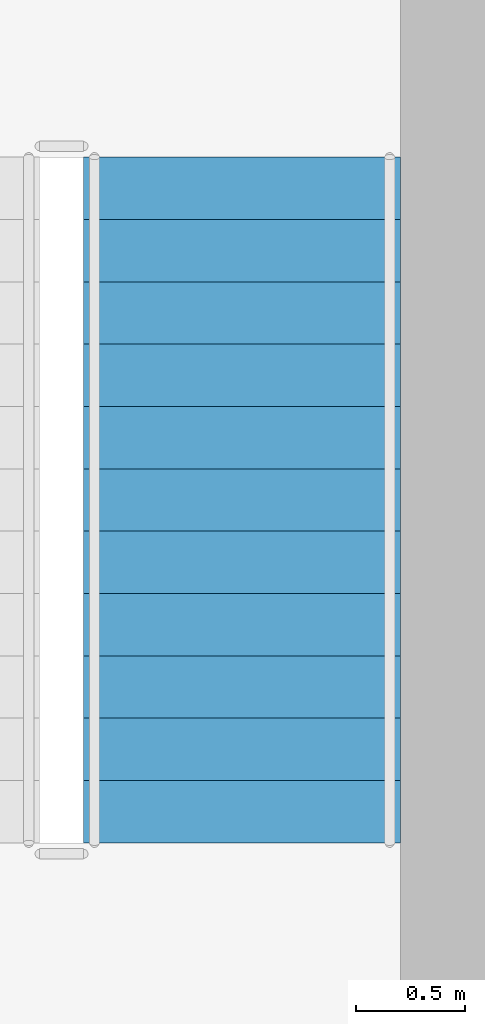
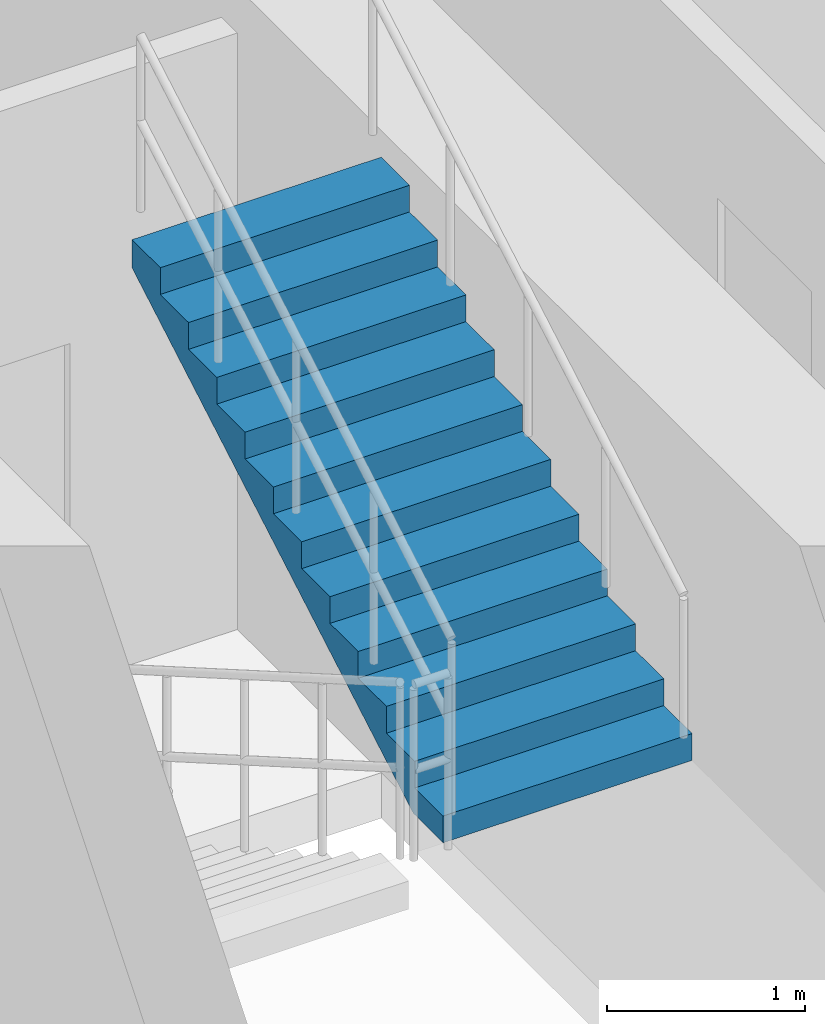
# One storey, part 27 of 31: 1 stair flight, 1 element without a shape of its own.
"""IFC4 building model written with IfcOpenShell, lengths in metres."""

from ifc_helpers import new_model, si_unit, direction, frame, origin, place, context, subcontext, project, spatial, polyline, outline, extrude, material, type_object, element, aggregate, save


model = new_model("IFC4")

# Units and contexts
model_context = context("Model", 3, precision=1e-05, world=origin(), true_north=direction((0.0, 1.0)))
body_context = subcontext(model_context, "Body", "Model", "MODEL_VIEW")
ifc_project = project(units=[si_unit("LENGTHUNIT", "METRE"), si_unit("AREAUNIT", "SQUARE_METRE"), si_unit("VOLUMEUNIT", "CUBIC_METRE"), si_unit("PLANEANGLEUNIT", "RADIAN"), si_unit("MASSUNIT", "GRAM", prefix="KILO")], contexts=[model_context])

# Site, building, storey
site_placement = place(None, origin())
site = spatial("IfcSite", under=ifc_project, at=site_placement, CompositionType="ELEMENT")
building_placement = place(site_placement, origin())
building = spatial("IfcBuilding", under=site, at=building_placement, Name="Krantzveldt Concourse Tower", CompositionType="ELEMENT")
storey_placement = place(building_placement, frame((0.0, 0.0, 56.60009765625)))
storey = spatial("IfcBuildingStorey", under=building, at=storey_placement, Name="L13", CompositionType="ELEMENT", Elevation=56.60009765625)

# Stair, stair flight
ifc_material = material(Name="Precast concrete C40/50", Category="concrete")
stair_type = type_object("IfcStairType", Name="STR-CORE-DOGLEG", PredefinedType="HALF_TURN_STAIR", material=ifc_material)
stair_placement = place(storey_placement, origin())
stair = element("IfcStair", 1, at=stair_placement, inside=storey, type_object=stair_type, Name="L13 Protected Escape Stair ST-2", PredefinedType="HALF_TURN_STAIR")
stair_flight_type = type_object("IfcStairFlightType", Name="STF-CORE-1450", PredefinedType="STRAIGHT", material=ifc_material)
stair_flight_placement = place(storey_placement, frame((42.39501953125, 16.4150390625, 1.974853515625), z_axis=(0.0, 0.0, 1.0), x_axis=(0.0, 1.0, 0.0)))
stair_flight = element("IfcStairFlight", 2, at=stair_flight_placement, type_object=stair_flight_type, Name="ST-2 flight 2", NumberOfRisers=12, NumberOfTreads=11, PredefinedType="STRAIGHT", RiserHeight=0.164583333, TreadLength=0.285, context=body_context, shape_type="SweptSolid", body=[
    extrude(outline(polyline([(0.0, 0.0), (0.0, 0.16455078125), (0.284912109375, 0.16455078125), (0.284912109375, 0.3291015625), (0.570068359375, 0.3291015625), (0.570068359375, 0.49365234375), (0.85498046875, 0.49365234375), (0.85498046875, 0.658447265625), (1.139892578125, 0.658447265625), (1.139892578125, 0.822998046875), (1.425048828125, 0.822998046875), (1.425048828125, 0.987548828125), (1.7099609375, 0.987548828125), (1.7099609375, 1.152099609375), (1.9951171875, 1.152099609375), (1.9951171875, 1.316650390625), (2.280029296875, 1.316650390625), (2.280029296875, 1.481201171875), (2.56494140625, 1.481201171875), (2.56494140625, 1.645751953125), (2.85009765625, 1.645751953125), (2.85009765625, 1.810302734375), (3.135009765625, 1.810302734375), (3.135009765625, 1.97509765625), (3.135009765625, 1.63720703125), (0.2998046875, 0.0), (0.0, 0.0)])), frame((0.0, 0.72509765625, 0.0), z_axis=(0.0, -1.0, 0.0), x_axis=(1.0, 0.0, 0.0)), (0.0, 0.0, 1.0), 1.449951171875),
])
aggregate(stair, [stair_flight])

save(model, "model.ifc")
